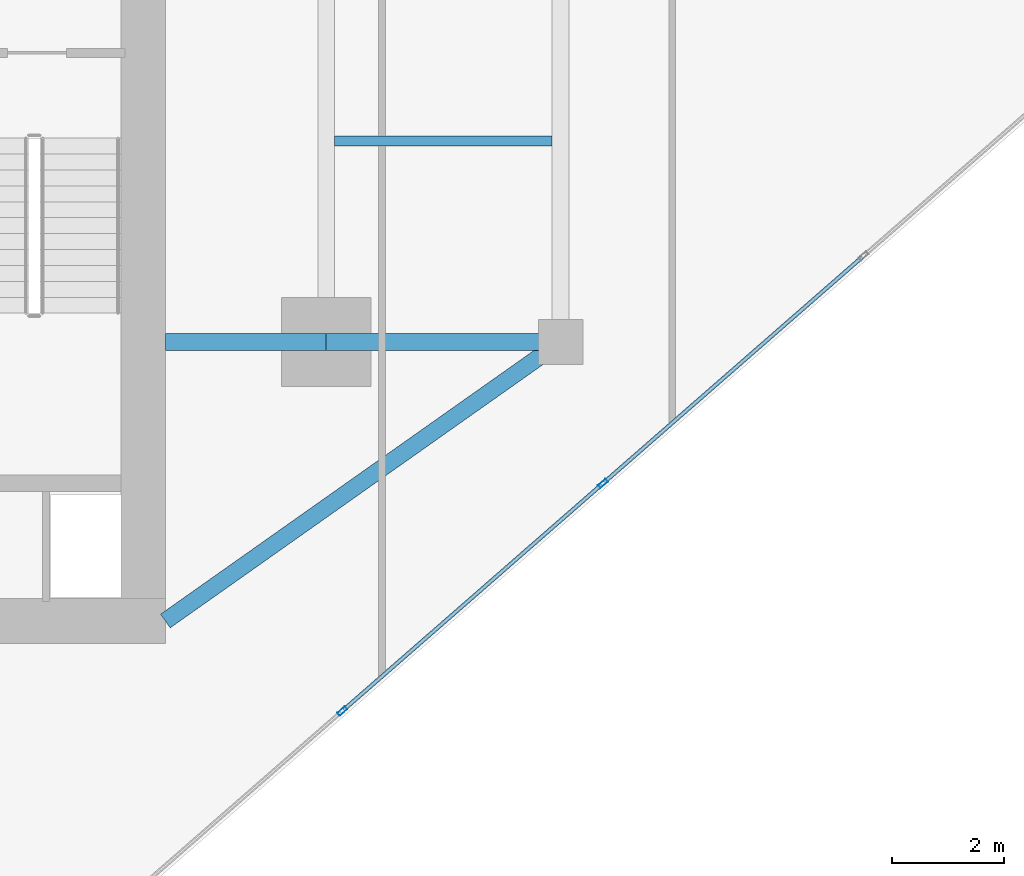
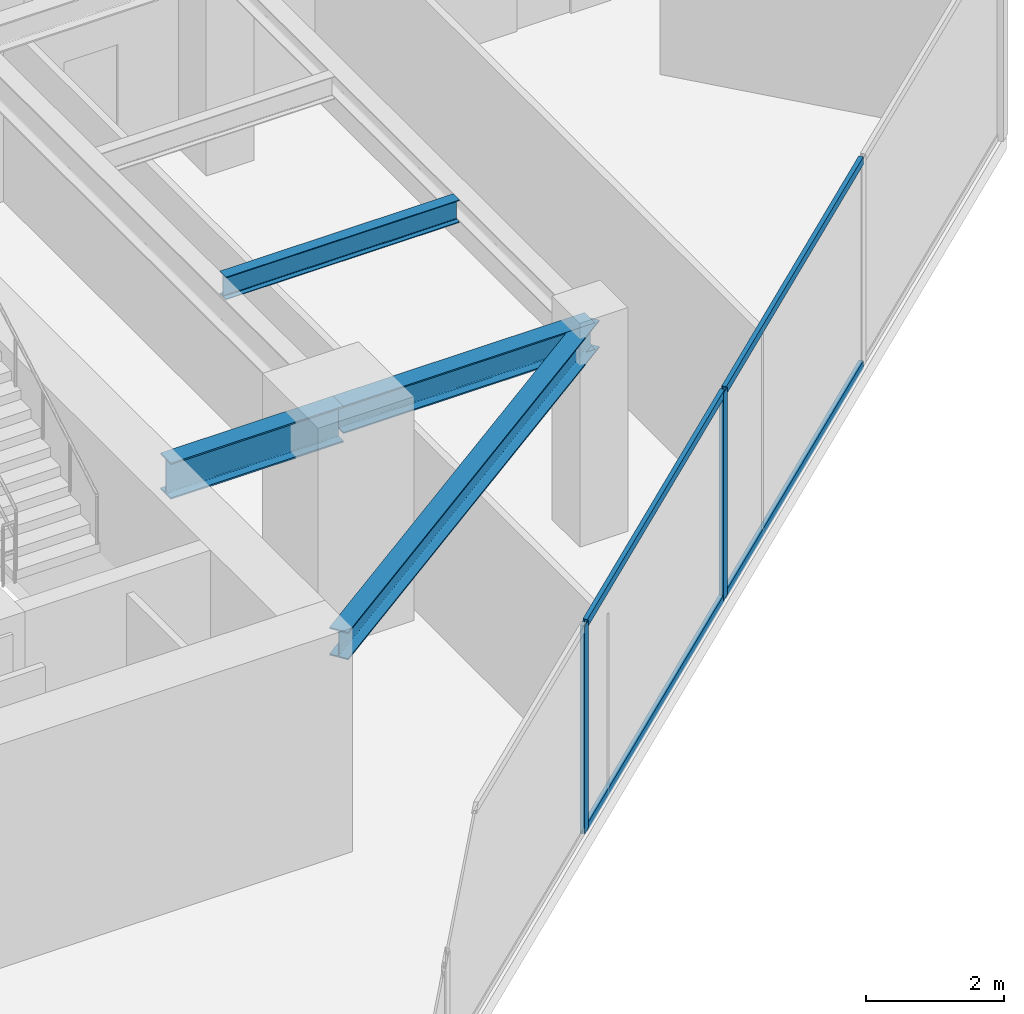
# One storey, part 9 of 24: 6 members, 4 beams, 1 element without a shape of its own.
"""IFC4 building model written with IfcOpenShell, lengths in metres."""

from ifc_helpers import new_model, si_unit, direction, frame, origin, origin_2d, place, context, subcontext, project, spatial, hollow_rectangle, i_section, extrude, source, transform, mapped, material, material_profile, profile_set, type_object, type_shapes, element, aggregate, save


model = new_model("IFC4")

# Units and contexts
model_context = context("Model", 3, precision=1e-05, world=origin(), true_north=direction((0.0, 1.0)))
body_context = subcontext(model_context, "Body", "Model", "MODEL_VIEW")
ifc_project = project(units=[si_unit("LENGTHUNIT", "METRE"), si_unit("AREAUNIT", "SQUARE_METRE"), si_unit("VOLUMEUNIT", "CUBIC_METRE"), si_unit("PLANEANGLEUNIT", "RADIAN"), si_unit("MASSUNIT", "GRAM", prefix="KILO")], contexts=[model_context])

# Site, building, storey
site_placement = place(None, origin())
site = spatial("IfcSite", under=ifc_project, at=site_placement, CompositionType="ELEMENT")
building_placement = place(site_placement, origin())
building = spatial("IfcBuilding", under=site, at=building_placement, Name="Krantzveldt Concourse Tower", CompositionType="ELEMENT")
storey_placement = place(building_placement, frame((0.0, 0.0, 254.699951171875)))
storey = spatial("IfcBuildingStorey", under=building, at=storey_placement, Name="L62", CompositionType="ELEMENT", Elevation=254.699951171875)

# Beams
ifc_material_1 = material(Name="Steel S355JR", Category="steel")
ifc_material_profile_1 = material_profile(ifc_material_1, i_section(OverallWidth=0.300048828125, OverallDepth=0.639892578125, WebThickness=0.013427734375, FlangeThickness=0.02587890625, FilletRadius=0.027099609375, at=origin_2d()), Name="Steel S355JR", Category="steel")
ifc_profile_set_1 = profile_set([ifc_material_profile_1], Name="Steel S355JR - HEA 650")
beam_type_1 = type_object("IfcBeamType", Name="BM-B-HEA650", PredefinedType="BEAM", material=ifc_profile_set_1)
shared_shape_1 = source(origin(), body_context, "Body", "SweptSolid", [
    extrude(i_section(OverallWidth=0.300048828125, OverallDepth=0.639892578125, WebThickness=0.013427734375, FlangeThickness=0.02587890625, FilletRadius=0.027099609375, at=origin_2d()), origin(), (0.0, 0.0, 1.0), 2.880126953125),
])
type_shapes(beam_type_1, [shared_shape_1])
beam_1_placement = place(storey_placement, frame((43.919921875, 15.89990234375, 3.35009765625), z_axis=(1.0, 0.0, 0.0), x_axis=(0.0, 1.0, 0.0)))
element("IfcBeam", 1, at=beam_1_placement, inside=storey, type_object=beam_type_1, Name="L62 Tower Girder BG-CE1", PredefinedType="BEAM", context=body_context, shape_type="MappedRepresentation", body=[
    mapped(shared_shape_1, transform((0.0, 0.0, 0.0), x_axis=(1.0, 0.0, 0.0), y_axis=(0.0, 1.0, 0.0), z_axis=(0.0, 0.0, 1.0), scale=1.0)),
])
ifc_material_profile_2 = material_profile(ifc_material_1, i_section(OverallWidth=0.300048828125, OverallDepth=0.489990234375, WebThickness=0.011962890625, FlangeThickness=0.02294921875, FilletRadius=0.027099609375, at=origin_2d()), Name="Steel S355JR", Category="steel")
ifc_profile_set_2 = profile_set([ifc_material_profile_2], Name="Steel S355JR - HEA 500")
beam_type_2 = type_object("IfcBeamType", Name="BM-B-HEA500", PredefinedType="BEAM", material=ifc_profile_set_2)
shared_shape_2 = source(origin(), body_context, "Body", "SweptSolid", [
    extrude(i_section(OverallWidth=0.300048828125, OverallDepth=0.489990234375, WebThickness=0.011962890625, FlangeThickness=0.02294921875, FilletRadius=0.027099609375, at=origin_2d()), origin(), (0.0, 0.0, 1.0), 4.199951171875),
])
beam_2_placement = place(storey_placement, frame((46.800048828125, 15.89990234375, 3.425048828125), z_axis=(1.0, 0.0, 0.0), x_axis=(0.0, 1.0, 0.0)))
element("IfcBeam", 2, at=beam_2_placement, inside=storey, type_object=beam_type_2, Name="L62 Tower Girder BR-RR1", PredefinedType="BEAM", context=body_context, shape_type="MappedRepresentation", body=[
    mapped(shared_shape_2, transform((0.0, 0.0, 0.0), x_axis=(1.0, 0.0, 0.0), y_axis=(0.0, 1.0, 0.0), z_axis=(0.0, 0.0, 1.0), scale=1.0)),
])
shared_shape_3 = source(origin(), body_context, "Body", "SweptSolid", [
    extrude(i_section(OverallWidth=0.300048828125, OverallDepth=0.489990234375, WebThickness=0.011962890625, FlangeThickness=0.02294921875, FilletRadius=0.027099609375, at=origin_2d()), origin(), (0.0, 0.0, 1.0), 8.667724609375),
])
type_shapes(beam_type_2, [shared_shape_2, shared_shape_3])
beam_3_placement = place(storey_placement, frame((51.0, 15.89990234375, 3.425048828125), z_axis=(-0.81684294656, -0.576860122261, 0.0), x_axis=(0.576860122261, -0.81684294656, 0.0)))
element("IfcBeam", 3, at=beam_3_placement, inside=storey, type_object=beam_type_2, Name="L62 Tower Girder BR-CSE", PredefinedType="BEAM", context=body_context, shape_type="MappedRepresentation", body=[
    mapped(shared_shape_3, transform((0.0, 0.0, 0.0), x_axis=(1.0, 0.0, 0.0), y_axis=(0.0, 1.0, 0.0), z_axis=(0.0, 0.0, 1.0), scale=1.0)),
])
ifc_material_profile_3 = material_profile(ifc_material_1, i_section(OverallWidth=0.179931640625, OverallDepth=0.39990234375, WebThickness=0.008544921875, FlangeThickness=0.013427734375, FilletRadius=0.02099609375, at=origin_2d()), Name="Steel S355JR", Category="steel")
ifc_profile_set_3 = profile_set([ifc_material_profile_3], Name="Steel S355JR - IPE 400")
beam_type_3 = type_object("IfcBeamType", Name="BM-J-IPE400", PredefinedType="JOIST", material=ifc_profile_set_3)
shared_shape_4 = source(origin(), body_context, "Body", "SweptSolid", [
    extrude(i_section(OverallWidth=0.179931640625, OverallDepth=0.39990234375, WebThickness=0.008544921875, FlangeThickness=0.013427734375, FilletRadius=0.02099609375, at=origin_2d()), origin(), (0.0, 0.0, 1.0), 3.900146484375),
])
type_shapes(beam_type_3, [shared_shape_4])
beam_4_placement = place(storey_placement, frame((46.949951171875, 19.5, 3.469970703125), z_axis=(1.0, 0.0, 0.0), x_axis=(0.0, 1.0, 0.0)))
element("IfcBeam", 4, at=beam_4_placement, inside=storey, type_object=beam_type_3, Name="L62 Secondary Floor Joist JE-1", PredefinedType="JOIST", context=body_context, shape_type="MappedRepresentation", body=[
    mapped(shared_shape_4, transform((0.0, 0.0, 0.0), x_axis=(1.0, 0.0, 0.0), y_axis=(0.0, 1.0, 0.0), z_axis=(0.0, 0.0, 1.0), scale=1.0)),
])

# Curtain wall, members
ifc_material_2 = material(Name="Anodised aluminium 6063-T6", Category="aluminium")
curtain_wall_type = type_object("IfcCurtainWallType", Name="CW3", PredefinedType="USERDEFINED", material=ifc_material_2)
curtain_wall_placement = place(storey_placement, origin())
curtain_wall = element("IfcCurtainWall", 5, at=curtain_wall_placement, inside=storey, type_object=curtain_wall_type, Name="CW-L62-F07", ObjectType="UNITISED CURTAIN WALL", PredefinedType="USERDEFINED")
ifc_material_profile_4 = material_profile(ifc_material_2, hollow_rectangle(XDim=0.070068359375, YDim=0.179931640625, WallThickness=0.0048828125, at=origin_2d()), Name="Anodised aluminium 6063-T6", Category="aluminium")
ifc_profile_set_4 = profile_set([ifc_material_profile_4], Name="Anodised aluminium 6063-T6 - ALU-MULL 180x70x5")
member_type_1 = type_object("IfcMemberType", Name="CW-MUL-180", PredefinedType="MULLION", material=ifc_profile_set_4)
shared_shape_5 = source(origin(), body_context, "Body", "SweptSolid", [
    extrude(hollow_rectangle(XDim=0.070068359375, YDim=0.179931640625, WallThickness=0.0048828125, at=origin_2d()), origin(), (0.0, 0.0, 1.0), 3.670166015625),
])
type_shapes(member_type_1, [shared_shape_5])
member_1_placement = place(storey_placement, frame((47.088623046875, 9.28662109375, 0.0), z_axis=(0.0, 0.0, 1.0), x_axis=(-0.657703938567, 0.753276529034, 0.0)))
member_1 = element("IfcMember", 6, at=member_1_placement, type_object=member_type_1, Name="CW-Z34 mullion 3", PredefinedType="MULLION", context=body_context, shape_type="MappedRepresentation", body=[
    mapped(shared_shape_5, transform((0.0, 0.0, 0.0), x_axis=(1.0, 0.0, 0.0), y_axis=(0.0, 1.0, 0.0), z_axis=(0.0, 0.0, 1.0), scale=1.0)),
])
member_2_placement = place(storey_placement, frame((51.7587890625, 13.364501953125, 0.0), z_axis=(0.0, 0.0, 1.0), x_axis=(-0.657703938567, 0.753276529034, 0.0)))
member_2 = element("IfcMember", 7, at=member_2_placement, type_object=member_type_1, Name="CW-Z34 mullion 4", PredefinedType="MULLION", context=body_context, shape_type="MappedRepresentation", body=[
    mapped(shared_shape_5, transform((0.0, 0.0, 0.0), x_axis=(1.0, 0.0, 0.0), y_axis=(0.0, 1.0, 0.0), z_axis=(0.0, 0.0, 1.0), scale=1.0)),
])
ifc_material_profile_5 = material_profile(ifc_material_2, hollow_rectangle(XDim=0.070068359375, YDim=0.139892578125, WallThickness=0.0048828125, at=origin_2d()), Name="Anodised aluminium 6063-T6", Category="aluminium")
ifc_profile_set_5 = profile_set([ifc_material_profile_5], Name="Anodised aluminium 6063-T6 - ALU-TRAN 140x70x5")
member_type_2 = type_object("IfcMemberType", Name="CW-TRN-150", PredefinedType="USERDEFINED", material=ifc_profile_set_5)
shared_shape_6 = source(origin(), body_context, "Body", "SweptSolid", [
    extrude(hollow_rectangle(XDim=0.070068359375, YDim=0.139892578125, WallThickness=0.0048828125, at=origin_2d()), origin(), (0.0, 0.0, 1.0), 6.130126953125),
])
member_3_placement = place(storey_placement, frame((51.78515625, 13.387451171875, 0.03515625), z_axis=(0.753281864593, 0.657697827635, 0.0), x_axis=(-0.657697827635, 0.753281864593, 0.0)))
member_3 = element("IfcMember", 8, at=member_3_placement, type_object=member_type_2, Name="CW-Z34 transom 4.1", ObjectType="TRANSOM", PredefinedType="USERDEFINED", context=body_context, shape_type="MappedRepresentation", body=[
    mapped(shared_shape_6, transform((0.0, 0.0, 0.0), x_axis=(1.0, 0.0, 0.0), y_axis=(0.0, 1.0, 0.0), z_axis=(0.0, 0.0, 1.0), scale=1.0)),
])
member_4_placement = place(storey_placement, frame((51.78515625, 13.387451171875, 3.635009765625), z_axis=(0.753281864593, 0.657697827635, 0.0), x_axis=(-0.657697827635, 0.753281864593, 0.0)))
member_4 = element("IfcMember", 9, at=member_4_placement, type_object=member_type_2, Name="CW-Z34 transom 4.2", ObjectType="TRANSOM", PredefinedType="USERDEFINED", context=body_context, shape_type="MappedRepresentation", body=[
    mapped(shared_shape_6, transform((0.0, 0.0, 0.0), x_axis=(1.0, 0.0, 0.0), y_axis=(0.0, 1.0, 0.0), z_axis=(0.0, 0.0, 1.0), scale=1.0)),
])
shared_shape_7 = source(origin(), body_context, "Body", "SweptSolid", [
    extrude(hollow_rectangle(XDim=0.070068359375, YDim=0.139892578125, WallThickness=0.0048828125, at=origin_2d()), origin(), (0.0, 0.0, 1.0), 6.1298828125),
])
type_shapes(member_type_2, [shared_shape_6, shared_shape_7])
member_5_placement = place(storey_placement, frame((47.114990234375, 9.309814453125, 0.03515625), z_axis=(0.753264636132, 0.657717559408, 0.0), x_axis=(-0.657717559408, 0.753264636132, 0.0)))
member_5 = element("IfcMember", 10, at=member_5_placement, type_object=member_type_2, Name="CW-Z34 transom 3.1", ObjectType="TRANSOM", PredefinedType="USERDEFINED", context=body_context, shape_type="MappedRepresentation", body=[
    mapped(shared_shape_7, transform((0.0, 0.0, 0.0), x_axis=(1.0, 0.0, 0.0), y_axis=(0.0, 1.0, 0.0), z_axis=(0.0, 0.0, 1.0), scale=1.0)),
])
member_6_placement = place(storey_placement, frame((47.114990234375, 9.309814453125, 3.635009765625), z_axis=(0.753264636132, 0.657717559408, 0.0), x_axis=(-0.657717559408, 0.753264636132, 0.0)))
member_6 = element("IfcMember", 11, at=member_6_placement, type_object=member_type_2, Name="CW-Z34 transom 3.2", ObjectType="TRANSOM", PredefinedType="USERDEFINED", context=body_context, shape_type="MappedRepresentation", body=[
    mapped(shared_shape_7, transform((0.0, 0.0, 0.0), x_axis=(1.0, 0.0, 0.0), y_axis=(0.0, 1.0, 0.0), z_axis=(0.0, 0.0, 1.0), scale=1.0)),
])
aggregate(curtain_wall, [member_1, member_2, member_5, member_6, member_3, member_4])

save(model, "model.ifc")
